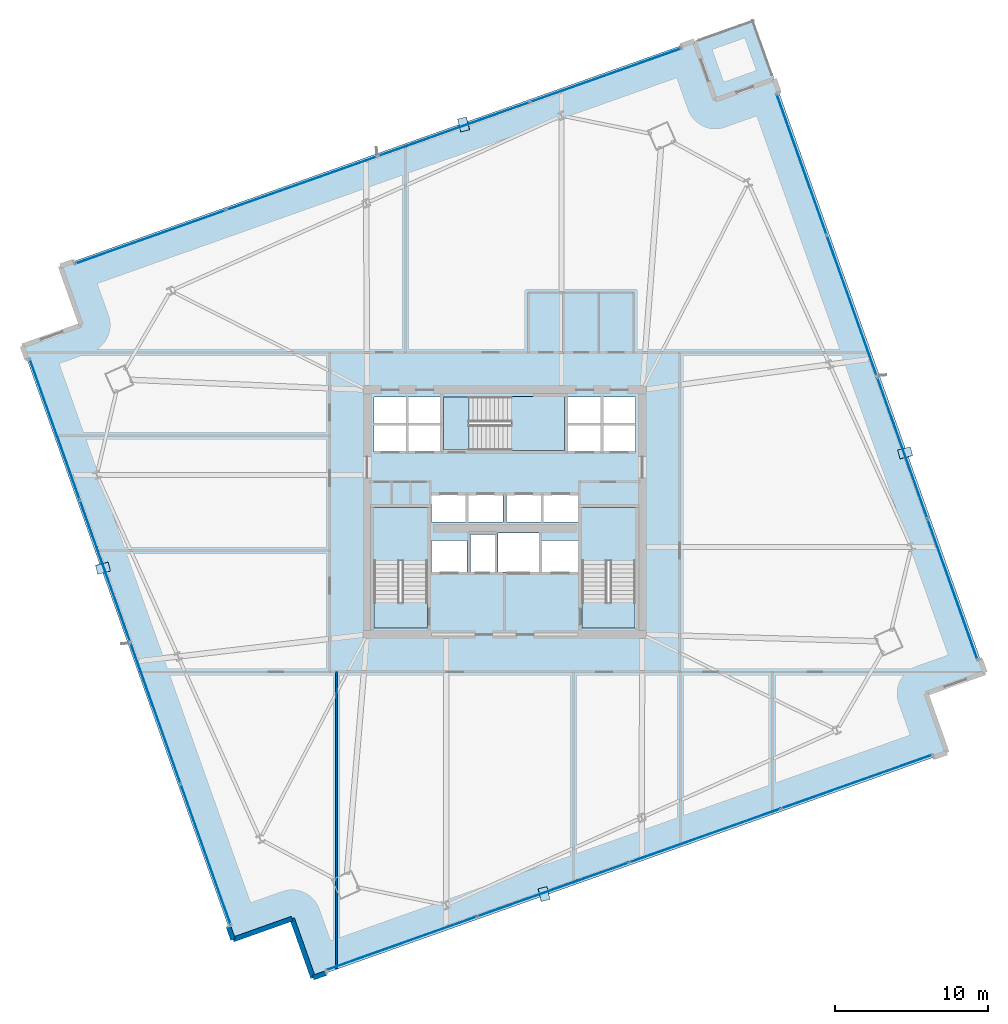
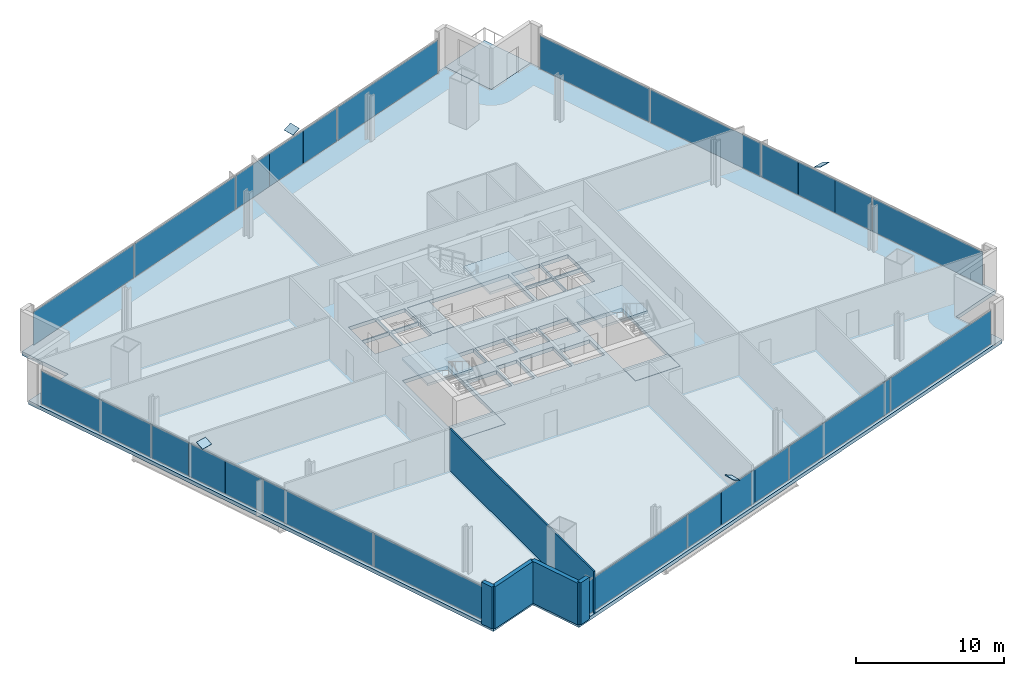
# One storey, part 24 of 33: 28 plates, 8 slabs, 5 walls, 7 elements without a shape of their own.
"""IFC4 building model written with IfcOpenShell, lengths in metres."""

from ifc_helpers import new_model, si_unit, direction, frame, frame_2d, origin, origin_2d, place, context, subcontext, project, spatial, polyline, rectangle, outline, extrude, source, transform, mapped, material, layer, layer_set, type_object, element, aggregate, save


model = new_model("IFC4")

# Units and contexts
model_context = context("Model", 3, precision=1e-05, world=origin(), true_north=direction((0.0, 1.0)))
body_context = subcontext(model_context, "Body", "Model", "MODEL_VIEW")
ifc_project = project(units=[si_unit("LENGTHUNIT", "METRE"), si_unit("AREAUNIT", "SQUARE_METRE"), si_unit("VOLUMEUNIT", "CUBIC_METRE"), si_unit("PLANEANGLEUNIT", "RADIAN"), si_unit("MASSUNIT", "GRAM", prefix="KILO")], contexts=[model_context])

# Site, building, storey
site_placement = place(None, origin())
site = spatial("IfcSite", under=ifc_project, at=site_placement, CompositionType="ELEMENT")
building_placement = place(site_placement, origin())
building = spatial("IfcBuilding", under=site, at=building_placement, Name="Haldenkirk Collegiate Tower", CompositionType="ELEMENT")
storey_placement = place(building_placement, frame((0.0, 0.0, 94.199951171875)))
storey = spatial("IfcBuildingStorey", under=building, at=storey_placement, Name="L22", CompositionType="ELEMENT", Elevation=94.199951171875)

# Slab
ifc_material_1 = material(Name="Concrete f'c 40 MPa", Category="concrete")
ifc_layer_1 = layer(ifc_material_1, 0.300048828125)
ifc_layer_set_1 = layer_set([ifc_layer_1], Name="Concrete f'c 40 MPa")
slab_type_1 = type_object("IfcSlabType", Name="SLB-FLR-300", PredefinedType="FLOOR", material=ifc_layer_set_1)
slab_1_placement = place(storey_placement, frame((0.0, 0.0, -0.300048828125)))
element("IfcSlab", 1, at=slab_1_placement, inside=storey, type_object=slab_type_1, Name="L22 composite structural floor slab", PredefinedType="FLOOR", context=body_context, shape_type="SweptSolid", body=[
    extrude(outline(polyline([(23.466796875, -4.449462890625), (64.93017578125, 10.2744140625), (63.55810546875, 14.137939453125), (67.421875, 15.510009765625), (53.635009765625, 54.334716796875), (49.771484375, 52.962646484375), (48.3994140625, 56.826416015625), (6.93603515625, 42.102783203125), (8.30810546875, 38.239013671875), (4.4443359375, 36.8671875), (18.231201171875, -1.957763671875), (22.0947265625, -0.585693359375), (23.466796875, -4.449462890625)]), holes=[polyline([(27.449951171875, 18.39990234375), (30.949951171875, 18.39990234375), (30.949951171875, 26.300048828125), (27.449951171875, 26.300048828125), (27.449951171875, 18.39990234375)]), polyline([(41.050048828125, 18.39990234375), (44.550048828125, 18.39990234375), (44.550048828125, 26.300048828125), (41.050048828125, 26.300048828125), (41.050048828125, 18.39990234375)]), polyline([(32.0, 30.050048828125), (39.89990234375, 30.050048828125), (39.89990234375, 33.550048828125), (32.0, 33.550048828125), (32.0, 30.050048828125)]), polyline([(33.75, 22.10009765625), (35.35009765625, 22.10009765625), (35.35009765625, 24.550048828125), (33.75, 24.550048828125), (33.75, 22.10009765625)]), polyline([(27.449951171875, 29.949951171875), (29.580078125, 29.949951171875), (29.580078125, 31.699951171875), (27.449951171875, 31.699951171875), (27.449951171875, 29.949951171875)]), polyline([(29.679931640625, 29.949951171875), (31.85009765625, 29.949951171875), (31.85009765625, 31.699951171875), (29.679931640625, 31.699951171875), (29.679931640625, 29.949951171875)]), polyline([(27.449951171875, 31.800048828125), (29.580078125, 31.800048828125), (29.580078125, 33.550048828125), (27.449951171875, 33.550048828125), (27.449951171875, 31.800048828125)]), polyline([(29.679931640625, 31.800048828125), (31.85009765625, 31.800048828125), (31.85009765625, 33.550048828125), (29.679931640625, 33.550048828125), (29.679931640625, 31.800048828125)]), polyline([(40.14990234375, 29.949951171875), (42.320068359375, 29.949951171875), (42.320068359375, 31.699951171875), (40.14990234375, 31.699951171875), (40.14990234375, 29.949951171875)]), polyline([(42.419921875, 29.949951171875), (44.550048828125, 29.949951171875), (44.550048828125, 31.699951171875), (42.419921875, 31.699951171875), (42.419921875, 29.949951171875)]), polyline([(40.14990234375, 31.800048828125), (42.320068359375, 31.800048828125), (42.320068359375, 33.550048828125), (40.14990234375, 33.550048828125), (40.14990234375, 31.800048828125)]), polyline([(42.419921875, 31.800048828125), (44.550048828125, 31.800048828125), (44.550048828125, 33.550048828125), (42.419921875, 33.550048828125), (42.419921875, 31.800048828125)]), polyline([(31.199951171875, 25.35009765625), (33.47998046875, 25.35009765625), (33.47998046875, 27.14990234375), (31.199951171875, 27.14990234375), (31.199951171875, 25.35009765625)]), polyline([(33.60009765625, 25.35009765625), (35.8798828125, 25.35009765625), (35.8798828125, 27.14990234375), (33.60009765625, 27.14990234375), (33.60009765625, 25.35009765625)]), polyline([(36.1201171875, 25.35009765625), (38.39990234375, 25.35009765625), (38.39990234375, 27.14990234375), (36.1201171875, 27.14990234375), (36.1201171875, 25.35009765625)]), polyline([(38.52001953125, 25.35009765625), (40.800048828125, 25.35009765625), (40.800048828125, 27.14990234375), (38.52001953125, 27.14990234375), (38.52001953125, 25.35009765625)]), polyline([(31.199951171875, 22.10009765625), (33.550048828125, 22.10009765625), (33.550048828125, 24.14990234375), (31.199951171875, 24.14990234375), (31.199951171875, 22.10009765625)]), polyline([(38.449951171875, 22.10009765625), (40.800048828125, 22.10009765625), (40.800048828125, 24.14990234375), (38.449951171875, 24.14990234375), (38.449951171875, 22.10009765625)]), polyline([(35.550048828125, 22.10009765625), (38.25, 22.10009765625), (38.25, 24.64990234375), (35.550048828125, 24.64990234375), (35.550048828125, 22.10009765625)])]), origin(), (0.0, 0.0, 1.0), 0.300048828125),
])

# Stair, slab
stair_type = type_object("IfcStairType", Name="STR-DOGLEG-1650", PredefinedType="HALF_TURN_STAIR", material=ifc_material_1)
stair_1_placement = place(storey_placement, origin())
stair_1 = element("IfcStair", 2, at=stair_1_placement, inside=storey, type_object=stair_type, Name="L22 Core Exit Stair ST-1", PredefinedType="HALF_TURN_STAIR")
ifc_layer_2 = layer(ifc_material_1, 0.199951171875)
ifc_layer_set_2 = layer_set([ifc_layer_2], Name="Concrete f'c 40 MPa")
slab_type_2 = type_object("IfcSlabType", Name="SLB-LANDING-200", PredefinedType="LANDING", material=ifc_layer_set_2)
slab_2_placement = place(storey_placement, frame((0.0, 0.0, 1.675048828125)))
slab_2 = element("IfcSlab", 3, at=slab_2_placement, type_object=slab_type_2, Name="ST-1 landing 1", PredefinedType="LANDING", context=body_context, shape_type="SweptSolid", body=[
    extrude(outline(polyline([(30.97509765625, 22.824951171875), (27.425048828125, 22.824951171875), (27.425048828125, 26.324951171875), (30.97509765625, 26.324951171875), (30.97509765625, 22.824951171875)])), origin(), (0.0, 0.0, 1.0), 0.199951171875),
])
aggregate(stair_1, [slab_2])

stair_2_placement = place(storey_placement, origin())
stair_2 = element("IfcStair", 4, at=stair_2_placement, inside=storey, type_object=stair_type, Name="L22 Core Exit Stair ST-2", PredefinedType="HALF_TURN_STAIR")
slab_3_placement = place(storey_placement, frame((0.0, 0.0, 1.675048828125)))
slab_3 = element("IfcSlab", 5, at=slab_3_placement, type_object=slab_type_2, Name="ST-2 landing 1", PredefinedType="LANDING", context=body_context, shape_type="SweptSolid", body=[
    extrude(outline(polyline([(44.574951171875, 22.824951171875), (41.02490234375, 22.824951171875), (41.02490234375, 26.324951171875), (44.574951171875, 26.324951171875), (44.574951171875, 22.824951171875)])), origin(), (0.0, 0.0, 1.0), 0.199951171875),
])
aggregate(stair_2, [slab_3])

stair_3_placement = place(storey_placement, origin())
stair_3 = element("IfcStair", 6, at=stair_3_placement, inside=storey, type_object=stair_type, Name="L22 Core Exit Stair ST-3", PredefinedType="HALF_TURN_STAIR")
slab_4_placement = place(storey_placement, frame((0.0, 0.0, 1.675048828125)))
slab_4 = element("IfcSlab", 7, at=slab_4_placement, type_object=slab_type_2, Name="ST-3 landing 1", PredefinedType="LANDING", context=body_context, shape_type="SweptSolid", body=[
    extrude(outline(polyline([(36.425048828125, 30.02490234375), (36.425048828125, 33.574951171875), (39.925048828125, 33.574951171875), (39.925048828125, 30.02490234375), (36.425048828125, 30.02490234375)])), origin(), (0.0, 0.0, 1.0), 0.199951171875),
])
aggregate(stair_3, [slab_4])

# Slabs
ifc_layer_3 = layer(ifc_material_1, 0.25)
ifc_layer_set_3 = layer_set([ifc_layer_3], Name="Concrete f'c 40 MPa")
slab_type_3 = type_object("IfcSlabType", Name="SLB-STAIRLAND-250", PredefinedType="LANDING", material=ifc_layer_set_3)
slab_5_placement = place(storey_placement, frame((0.0, 0.0, -0.25)))
element("IfcSlab", 8, at=slab_5_placement, inside=storey, type_object=slab_type_3, Name="L22 stair ST1 structural floor landing slab", PredefinedType="LANDING", context=body_context, shape_type="SweptSolid", body=[
    extrude(outline(polyline([(27.4599609375, 18.409912109375), (30.93994140625, 18.409912109375), (30.93994140625, 20.080078125), (27.4599609375, 20.080078125), (27.4599609375, 18.409912109375)])), origin(), (0.0, 0.0, 1.0), 0.25),
])
slab_6_placement = place(storey_placement, frame((0.0, 0.0, -0.25)))
element("IfcSlab", 9, at=slab_6_placement, inside=storey, type_object=slab_type_3, Name="L22 stair ST2 structural floor landing slab", PredefinedType="LANDING", context=body_context, shape_type="SweptSolid", body=[
    extrude(outline(polyline([(41.06005859375, 18.409912109375), (44.5400390625, 18.409912109375), (44.5400390625, 20.080078125), (41.06005859375, 20.080078125), (41.06005859375, 18.409912109375)])), origin(), (0.0, 0.0, 1.0), 0.25),
])
slab_7_placement = place(storey_placement, frame((0.0, 0.0, -0.25)))
element("IfcSlab", 10, at=slab_7_placement, inside=storey, type_object=slab_type_3, Name="L22 stair ST3 structural floor landing slab", PredefinedType="LANDING", context=body_context, shape_type="SweptSolid", body=[
    extrude(outline(polyline([(32.010009765625, 30.06005859375), (33.679931640625, 30.06005859375), (33.679931640625, 33.5400390625), (32.010009765625, 33.5400390625), (32.010009765625, 30.06005859375)])), origin(), (0.0, 0.0, 1.0), 0.25),
])
ifc_layer_4 = layer(ifc_material_1, 0.22998046875)
ifc_layer_set_4 = layer_set([ifc_layer_4], Name="Concrete f'c 40 MPa")
slab_type_4 = type_object("IfcSlabType", Name="SLB-TERR-SPIRAL-230", PredefinedType="FLOOR", material=ifc_layer_set_4)
slab_8_placement = place(storey_placement, frame((0.0, 0.0, -0.22998046875)))
element("IfcSlab", 11, at=slab_8_placement, inside=storey, type_object=slab_type_4, Name="L22 spiralling corner terrace slab", PredefinedType="FLOOR", context=body_context, shape_type="SweptSolid", body=[
    extrude(outline(polyline([(49.771484375, 52.962646484375), (53.635009765625, 54.334716796875), (52.26318359375, 58.1982421875), (48.3994140625, 56.826416015625), (49.771484375, 52.962646484375)])), origin(), (0.0, 0.0, 1.0), 0.22998046875),
])

# Plates
ifc_material_2 = material(Name="Steel ASTM A572 Grade 50", Category="steel")
ifc_layer_5 = layer(ifc_material_2, 0.034912109375)
ifc_layer_set_5 = layer_set([ifc_layer_5], Name="Steel ASTM A572 Grade 50")
plate_type_1 = type_object("IfcPlateType", Name="PLT-CAP-EXT-760X600", PredefinedType="USERDEFINED", material=ifc_layer_set_5)
shared_shape_1 = source(origin(), body_context, "Body", "SweptSolid", [
    extrude(rectangle(XDim=0.860107421875, YDim=0.659912109375, at=origin_2d()), origin(), (0.0, 0.0, 1.0), 0.034912109375),
])
for number, where, z_axis, x_axis, name in (
    (12, (38.56494140625, 1.013671875, 3.4375), (0.430187212245, 0.106988052786, 0.896377442254), (-0.241349098258, 0.970438361139, -1.6566e-08), "Perimeter Mega Brace Z2 L20-L22 SL end cap plate 2"),
    (13, (62.201904296875, 29.874267578125, 3.437255859375), (-0.106297029219, 0.415827114303, 0.903210248275), (-0.968845981342, -0.247664015225, -4.0766e-08), "Perimeter Mega Brace Z2 L20-L22 EL end cap plate 2"),
    (14, (33.3212890625, 51.370849609375, 3.4375), (-0.430866063653, -0.107132015827, 0.896034132373), (0.241296181552, -0.970451520051, -1.02324e-07), "Perimeter Mega Brace Z2 L20-L22 NL end cap plate 2"),
    (15, (9.714599609375, 22.34716796875, 3.437255859375), (0.104062042016, -0.412377166503, 0.905050365426), (0.969604679022, 0.244676861225, 1.19212e-07), "Perimeter Mega Brace Z2 L20-L22 WL end cap plate 2"),
):
    element("IfcPlate", number, at=place(storey_placement, frame(where, z_axis=z_axis, x_axis=x_axis)), inside=storey, type_object=plate_type_1, Name=name, ObjectType="END CAP PLATE", PredefinedType="USERDEFINED", context=body_context, shape_type="MappedRepresentation", body=[
        mapped(shared_shape_1, transform((0.0, 0.0, 0.0), x_axis=(1.0, 0.0, 0.0), y_axis=(0.0, 1.0, 0.0), z_axis=(0.0, 0.0, 1.0), scale=1.0)),
    ])

# Curtain wall, plates
ifc_material_3 = material(Name="Anodised architectural bronze aluminium", Category="aluminium")
curtain_wall_type_1 = type_object("IfcCurtainWallType", Name="CW-SYS2-CONCAVE", PredefinedType="USERDEFINED", material=ifc_material_3)
curtain_wall_1_placement = place(storey_placement, origin())
curtain_wall_1 = element("IfcCurtainWall", 16, at=curtain_wall_1_placement, inside=storey, type_object=curtain_wall_type_1, Name="L22 South concave recessed bronze-anodised curtain wall", ObjectType="UNITISED CURTAIN WALL", PredefinedType="USERDEFINED")
ifc_material_4 = material(Name="Low-E argon triple insulating glass", Category="glass")
ifc_layer_6 = layer(ifc_material_4, 0.0419921875)
ifc_layer_set_6 = layer_set([ifc_layer_6], Name="Low-E argon triple insulating glass")
plate_type_2 = type_object("IfcPlateType", Name="CW-PNL-02", PredefinedType="CURTAIN_PANEL", material=ifc_layer_set_6)
shared_shape_2 = source(origin(), body_context, "Body", "SweptSolid", [
    extrude(rectangle(XDim=10.4375, YDim=0.0419921875, at=origin_2d()), origin(), (0.0, 0.0, 1.0), 2.7509765625),
])
plate_1_placement = place(storey_placement, frame((59.033203125, 8.371337890625, 0.074951171875), z_axis=(0.0, 0.0, 1.0), x_axis=(-0.942350364424, -0.334627839055, 0.0)))
plate_1 = element("IfcPlate", 17, at=plate_1_placement, type_object=plate_type_2, Name="CW-02 panel 1.1", PredefinedType="CURTAIN_PANEL", context=body_context, shape_type="MappedRepresentation", body=[
    mapped(shared_shape_2, transform((0.0, 0.0, 0.0), x_axis=(1.0, 0.0, 0.0), y_axis=(0.0, 1.0, 0.0), z_axis=(0.0, 0.0, 1.0), scale=1.0)),
])
plate_2_placement = place(storey_placement, frame((29.2431640625, -2.207275390625, 0.074951171875), z_axis=(0.0, 0.0, 1.0), x_axis=(-0.942350364424, -0.334627839055, 0.0)))
plate_2 = element("IfcPlate", 18, at=plate_2_placement, type_object=plate_type_2, Name="CW-02 panel 4.1", PredefinedType="CURTAIN_PANEL", context=body_context, shape_type="MappedRepresentation", body=[
    mapped(shared_shape_2, transform((0.0, 0.0, 0.0), x_axis=(1.0, 0.0, 0.0), y_axis=(0.0, 1.0, 0.0), z_axis=(0.0, 0.0, 1.0), scale=1.0)),
])
shared_shape_3 = source(origin(), body_context, "Body", "SweptSolid", [
    extrude(rectangle(XDim=10.47509765625, YDim=0.0419921875, at=origin_2d()), origin(), (0.0, 0.0, 1.0), 2.7509765625),
])
plate_3_placement = place(storey_placement, frame((49.109130859375, 4.84716796875, 0.074951171875), z_axis=(0.0, 0.0, 1.0), x_axis=(-0.942350364424, -0.334627839055, 0.0)))
plate_3 = element("IfcPlate", 19, at=plate_3_placement, type_object=plate_type_2, Name="CW-02 panel 2.1", PredefinedType="CURTAIN_PANEL", context=body_context, shape_type="MappedRepresentation", body=[
    mapped(shared_shape_3, transform((0.0, 0.0, 0.0), x_axis=(1.0, 0.0, 0.0), y_axis=(0.0, 1.0, 0.0), z_axis=(0.0, 0.0, 1.0), scale=1.0)),
])
shared_shape_4 = source(origin(), body_context, "Body", "SweptSolid", [
    extrude(rectangle(XDim=3.479248046875, YDim=0.0419921875, at=origin_2d()), origin(), (0.0, 0.0, 1.0), 2.7509765625),
])
plate_4_placement = place(storey_placement, frame((42.463623046875, 2.4873046875, 0.074951171875), z_axis=(0.0, 0.0, 1.0), x_axis=(-0.942350364424, -0.334627839055, 0.0)))
plate_4 = element("IfcPlate", 20, at=plate_4_placement, type_object=plate_type_2, Name="CW-02 panel 3.1a", PredefinedType="CURTAIN_PANEL", context=body_context, shape_type="MappedRepresentation", body=[
    mapped(shared_shape_4, transform((0.0, 0.0, 0.0), x_axis=(1.0, 0.0, 0.0), y_axis=(0.0, 1.0, 0.0), z_axis=(0.0, 0.0, 1.0), scale=1.0)),
])
ifc_material_5 = material(Name="Bronze-anodised insulated aluminium spandrel panel", Category="aluminium")
ifc_layer_7 = layer(ifc_material_5, 0.0419921875)
ifc_layer_set_7 = layer_set([ifc_layer_7], Name="Bronze-anodised insulated aluminium spandrel panel")
plate_type_3 = type_object("IfcPlateType", Name="CW-SPD-02", PredefinedType="CURTAIN_PANEL", material=ifc_layer_set_7)
plate_5_placement = place(storey_placement, frame((35.87109375, 0.146484375, 0.074951171875), z_axis=(0.0, 0.0, 1.0), x_axis=(-0.942350364424, -0.334627839055, 0.0)))
plate_5 = element("IfcPlate", 21, at=plate_5_placement, type_object=plate_type_3, Name="CW-02 spandrel panel 3.1c", PredefinedType="CURTAIN_PANEL", context=body_context, shape_type="MappedRepresentation", body=[
    mapped(shared_shape_4, transform((0.0, 0.0, 0.0), x_axis=(1.0, 0.0, 0.0), y_axis=(0.0, 1.0, 0.0), z_axis=(0.0, 0.0, 1.0), scale=1.0)),
])
shared_shape_5 = source(origin(), body_context, "Body", "SweptSolid", [
    extrude(rectangle(XDim=3.466796875, YDim=0.0419921875, at=origin_2d()), origin(), (0.0, 0.0, 1.0), 2.7509765625),
])
plate_6_placement = place(storey_placement, frame((39.167236328125, 1.31689453125, 0.074951171875), z_axis=(0.0, 0.0, 1.0), x_axis=(-0.942350364424, -0.334627839055, 0.0)))
plate_6 = element("IfcPlate", 22, at=plate_6_placement, type_object=plate_type_3, Name="CW-02 spandrel panel 3.1b", PredefinedType="CURTAIN_PANEL", context=body_context, shape_type="MappedRepresentation", body=[
    mapped(shared_shape_5, transform((0.0, 0.0, 0.0), x_axis=(1.0, 0.0, 0.0), y_axis=(0.0, 1.0, 0.0), z_axis=(0.0, 0.0, 1.0), scale=1.0)),
])
aggregate(curtain_wall_1, [plate_1, plate_3, plate_4, plate_6, plate_5, plate_2])

curtain_wall_type_2 = type_object("IfcCurtainWallType", Name="CW-SYS1-CONVEX-LOW", PredefinedType="USERDEFINED", material=ifc_material_3)
curtain_wall_2_placement = place(storey_placement, origin())
curtain_wall_2 = element("IfcCurtainWall", 23, at=curtain_wall_2_placement, inside=storey, type_object=curtain_wall_type_2, Name="L22 Lower tower convex bronze-framed unitised curtain wall", ObjectType="UNITISED CURTAIN WALL", PredefinedType="USERDEFINED")
ifc_layer_8 = layer(ifc_material_4, 0.0439453125)
ifc_layer_set_8 = layer_set([ifc_layer_8], Name="Low-E argon triple insulating glass")
plate_type_4 = type_object("IfcPlateType", Name="CW-PNL-1A", PredefinedType="CURTAIN_PANEL", material=ifc_layer_set_8)
shared_shape_6 = source(origin(), body_context, "Body", "SweptSolid", [
    extrude(rectangle(XDim=9.72998046875, YDim=0.0439453125, at=origin_2d()), origin(), (0.0, 0.0, 1.0), 2.740966796875),
])
plate_7_placement = place(storey_placement, frame((55.42138671875, 48.766357421875, 0.080078125), z_axis=(0.0, 0.0, 1.0), x_axis=(0.334629297058, -0.942349846687, 0.0)))
plate_7 = element("IfcPlate", 24, at=plate_7_placement, type_object=plate_type_4, Name="CW-1A panel 1.1", PredefinedType="CURTAIN_PANEL", context=body_context, shape_type="MappedRepresentation", body=[
    mapped(shared_shape_6, transform((0.0, 0.0, 0.0), x_axis=(1.0, 0.0, 0.0), y_axis=(0.0, 1.0, 0.0), z_axis=(0.0, 0.0, 1.0), scale=1.0)),
])
plate_8_placement = place(storey_placement, frame((65.296142578125, 20.957763671875, 0.080078125), z_axis=(0.0, 0.0, 1.0), x_axis=(0.334629297058, -0.942349846687, 0.0)))
plate_8 = element("IfcPlate", 25, at=plate_8_placement, type_object=plate_type_4, Name="CW-1A panel 4.1", PredefinedType="CURTAIN_PANEL", context=body_context, shape_type="MappedRepresentation", body=[
    mapped(shared_shape_6, transform((0.0, 0.0, 0.0), x_axis=(1.0, 0.0, 0.0), y_axis=(0.0, 1.0, 0.0), z_axis=(0.0, 0.0, 1.0), scale=1.0)),
])

curtain_wall_3_placement = place(storey_placement, origin())
curtain_wall_3 = element("IfcCurtainWall", 26, at=curtain_wall_3_placement, inside=storey, type_object=curtain_wall_type_2, Name="L22 Lower tower convex bronze-framed unitised curtain wall", ObjectType="UNITISED CURTAIN WALL", PredefinedType="USERDEFINED")
plate_9_placement = place(storey_placement, frame((16.44482421875, 3.6103515625, 0.080078125), z_axis=(0.0, 0.0, 1.0), x_axis=(-0.334626242845, 0.942350931235, 0.0)))
plate_9 = element("IfcPlate", 27, at=plate_9_placement, type_object=plate_type_4, Name="CW-1A panel 1.1", PredefinedType="CURTAIN_PANEL", context=body_context, shape_type="MappedRepresentation", body=[
    mapped(shared_shape_6, transform((0.0, 0.0, 0.0), x_axis=(1.0, 0.0, 0.0), y_axis=(0.0, 1.0, 0.0), z_axis=(0.0, 0.0, 1.0), scale=1.0)),
])
plate_10_placement = place(storey_placement, frame((6.56982421875, 31.419189453125, 0.080078125), z_axis=(0.0, 0.0, 1.0), x_axis=(-0.334626242845, 0.942350931235, 0.0)))
plate_10 = element("IfcPlate", 28, at=plate_10_placement, type_object=plate_type_4, Name="CW-1A panel 4.1", PredefinedType="CURTAIN_PANEL", context=body_context, shape_type="MappedRepresentation", body=[
    mapped(shared_shape_6, transform((0.0, 0.0, 0.0), x_axis=(1.0, 0.0, 0.0), y_axis=(0.0, 1.0, 0.0), z_axis=(0.0, 0.0, 1.0), scale=1.0)),
])

# Plate
shared_shape_7 = source(origin(), body_context, "Body", "SweptSolid", [
    extrude(rectangle(XDim=9.77001953125, YDim=0.0439453125, at=origin_2d()), origin(), (0.0, 0.0, 1.0), 2.740966796875),
])
plate_11_placement = place(storey_placement, frame((58.710693359375, 39.503173828125, 0.080078125), z_axis=(0.0, 0.0, 1.0), x_axis=(0.334629297058, -0.942349846687, 0.0)))
plate_11 = element("IfcPlate", 29, at=plate_11_placement, type_object=plate_type_4, Name="CW-1A panel 2.1", PredefinedType="CURTAIN_PANEL", context=body_context, shape_type="MappedRepresentation", body=[
    mapped(shared_shape_7, transform((0.0, 0.0, 0.0), x_axis=(1.0, 0.0, 0.0), y_axis=(0.0, 1.0, 0.0), z_axis=(0.0, 0.0, 1.0), scale=1.0)),
])

plate_12_placement = place(storey_placement, frame((13.1552734375, 12.873779296875, 0.080078125), z_axis=(0.0, 0.0, 1.0), x_axis=(-0.334626242845, 0.942350931235, 0.0)))
plate_12 = element("IfcPlate", 30, at=plate_12_placement, type_object=plate_type_4, Name="CW-1A panel 2.1", PredefinedType="CURTAIN_PANEL", context=body_context, shape_type="MappedRepresentation", body=[
    mapped(shared_shape_7, transform((0.0, 0.0, 0.0), x_axis=(1.0, 0.0, 0.0), y_axis=(0.0, 1.0, 0.0), z_axis=(0.0, 0.0, 1.0), scale=1.0)),
])

ifc_layer_9 = layer(ifc_material_5, 0.0439453125)
ifc_layer_set_9 = layer_set([ifc_layer_9], Name="Bronze-anodised insulated aluminium spandrel panel")
plate_type_5 = type_object("IfcPlateType", Name="CW-SPD-1A", PredefinedType="CURTAIN_PANEL", material=ifc_layer_set_9)
shared_shape_8 = source(origin(), body_context, "Body", "SweptSolid", [
    extrude(rectangle(XDim=3.244140625, YDim=0.0439453125, at=origin_2d()), origin(), (0.0, 0.0, 1.0), 2.740966796875),
])
plate_13_placement = place(storey_placement, frame((60.9150390625, 33.2958984375, 0.080078125), z_axis=(0.0, 0.0, 1.0), x_axis=(0.334629297058, -0.942349846687, 0.0)))
plate_13 = element("IfcPlate", 31, at=plate_13_placement, type_object=plate_type_5, Name="CW-1A spandrel panel 3.1a", PredefinedType="CURTAIN_PANEL", context=body_context, shape_type="MappedRepresentation", body=[
    mapped(shared_shape_8, transform((0.0, 0.0, 0.0), x_axis=(1.0, 0.0, 0.0), y_axis=(0.0, 1.0, 0.0), z_axis=(0.0, 0.0, 1.0), scale=1.0)),
])

plate_14_placement = place(storey_placement, frame((63.0986328125, 27.146240234375, 0.080078125), z_axis=(0.0, 0.0, 1.0), x_axis=(0.334629297058, -0.942349846687, 0.0)))
plate_14 = element("IfcPlate", 32, at=plate_14_placement, type_object=plate_type_5, Name="CW-1A spandrel panel 3.1c", PredefinedType="CURTAIN_PANEL", context=body_context, shape_type="MappedRepresentation", body=[
    mapped(shared_shape_8, transform((0.0, 0.0, 0.0), x_axis=(1.0, 0.0, 0.0), y_axis=(0.0, 1.0, 0.0), z_axis=(0.0, 0.0, 1.0), scale=1.0)),
])

plate_15_placement = place(storey_placement, frame((10.951171875, 19.0810546875, 0.080078125), z_axis=(0.0, 0.0, 1.0), x_axis=(-0.334626242845, 0.942350931235, 0.0)))
plate_15 = element("IfcPlate", 33, at=plate_15_placement, type_object=plate_type_5, Name="CW-1A spandrel panel 3.1a", PredefinedType="CURTAIN_PANEL", context=body_context, shape_type="MappedRepresentation", body=[
    mapped(shared_shape_8, transform((0.0, 0.0, 0.0), x_axis=(1.0, 0.0, 0.0), y_axis=(0.0, 1.0, 0.0), z_axis=(0.0, 0.0, 1.0), scale=1.0)),
])

plate_16_placement = place(storey_placement, frame((8.767578125, 25.230712890625, 0.080078125), z_axis=(0.0, 0.0, 1.0), x_axis=(-0.334626242845, 0.942350931235, 0.0)))
plate_16 = element("IfcPlate", 34, at=plate_16_placement, type_object=plate_type_5, Name="CW-1A spandrel panel 3.1c", PredefinedType="CURTAIN_PANEL", context=body_context, shape_type="MappedRepresentation", body=[
    mapped(shared_shape_8, transform((0.0, 0.0, 0.0), x_axis=(1.0, 0.0, 0.0), y_axis=(0.0, 1.0, 0.0), z_axis=(0.0, 0.0, 1.0), scale=1.0)),
])

shared_shape_9 = source(origin(), body_context, "Body", "SweptSolid", [
    extrude(rectangle(XDim=3.231689453125, YDim=0.0439453125, at=origin_2d()), origin(), (0.0, 0.0, 1.0), 2.740966796875),
])
plate_17_placement = place(storey_placement, frame((62.0068359375, 30.220947265625, 0.080078125), z_axis=(0.0, 0.0, 1.0), x_axis=(0.334629297058, -0.942349846687, 0.0)))
plate_17 = element("IfcPlate", 35, at=plate_17_placement, type_object=plate_type_5, Name="CW-1A spandrel panel 3.1b", PredefinedType="CURTAIN_PANEL", context=body_context, shape_type="MappedRepresentation", body=[
    mapped(shared_shape_9, transform((0.0, 0.0, 0.0), x_axis=(1.0, 0.0, 0.0), y_axis=(0.0, 1.0, 0.0), z_axis=(0.0, 0.0, 1.0), scale=1.0)),
])

aggregate(curtain_wall_2, [plate_7, plate_11, plate_13, plate_17, plate_14, plate_8])

plate_18_placement = place(storey_placement, frame((9.859375, 22.156005859375, 0.080078125), z_axis=(0.0, 0.0, 1.0), x_axis=(-0.334626242845, 0.942350931235, 0.0)))
plate_18 = element("IfcPlate", 36, at=plate_18_placement, type_object=plate_type_5, Name="CW-1A spandrel panel 3.1b", PredefinedType="CURTAIN_PANEL", context=body_context, shape_type="MappedRepresentation", body=[
    mapped(shared_shape_9, transform((0.0, 0.0, 0.0), x_axis=(1.0, 0.0, 0.0), y_axis=(0.0, 1.0, 0.0), z_axis=(0.0, 0.0, 1.0), scale=1.0)),
])

aggregate(curtain_wall_3, [plate_9, plate_12, plate_15, plate_18, plate_16, plate_10])

# Curtain wall, plates
curtain_wall_4_placement = place(storey_placement, origin())
curtain_wall_4 = element("IfcCurtainWall", 37, at=curtain_wall_4_placement, inside=storey, type_object=curtain_wall_type_2, Name="L22 Lower tower convex bronze-framed unitised curtain wall", ObjectType="UNITISED CURTAIN WALL", PredefinedType="USERDEFINED")
shared_shape_10 = source(origin(), body_context, "Body", "SweptSolid", [
    extrude(rectangle(XDim=10.429931640625, YDim=0.0439453125, at=origin_2d()), origin(), (0.0, 0.0, 1.0), 2.740966796875),
])
plate_19_placement = place(storey_placement, frame((12.833984375, 44.006103515625, 0.080078125), z_axis=(0.0, 0.0, 1.0), x_axis=(0.942350364424, 0.334627839055, 0.0)))
plate_19 = element("IfcPlate", 38, at=plate_19_placement, type_object=plate_type_4, Name="CW-1A panel 1.1", PredefinedType="CURTAIN_PANEL", context=body_context, shape_type="MappedRepresentation", body=[
    mapped(shared_shape_10, transform((0.0, 0.0, 0.0), x_axis=(1.0, 0.0, 0.0), y_axis=(0.0, 1.0, 0.0), z_axis=(0.0, 0.0, 1.0), scale=1.0)),
])
plate_20_placement = place(storey_placement, frame((42.621826171875, 54.583740234375, 0.080078125), z_axis=(0.0, 0.0, 1.0), x_axis=(0.942350364424, 0.334627839055, 0.0)))
plate_20 = element("IfcPlate", 39, at=plate_20_placement, type_object=plate_type_4, Name="CW-1A panel 4.1", PredefinedType="CURTAIN_PANEL", context=body_context, shape_type="MappedRepresentation", body=[
    mapped(shared_shape_10, transform((0.0, 0.0, 0.0), x_axis=(1.0, 0.0, 0.0), y_axis=(0.0, 1.0, 0.0), z_axis=(0.0, 0.0, 1.0), scale=1.0)),
])
shared_shape_11 = source(origin(), body_context, "Body", "SweptSolid", [
    extrude(rectangle(XDim=10.469970703125, YDim=0.0439453125, at=origin_2d()), origin(), (0.0, 0.0, 1.0), 2.740966796875),
])
plate_21_placement = place(storey_placement, frame((22.757080078125, 47.52978515625, 0.080078125), z_axis=(0.0, 0.0, 1.0), x_axis=(0.942350364424, 0.334627839055, 0.0)))
plate_21 = element("IfcPlate", 40, at=plate_21_placement, type_object=plate_type_4, Name="CW-1A panel 2.1", PredefinedType="CURTAIN_PANEL", context=body_context, shape_type="MappedRepresentation", body=[
    mapped(shared_shape_11, transform((0.0, 0.0, 0.0), x_axis=(1.0, 0.0, 0.0), y_axis=(0.0, 1.0, 0.0), z_axis=(0.0, 0.0, 1.0), scale=1.0)),
])
shared_shape_12 = source(origin(), body_context, "Body", "SweptSolid", [
    extrude(rectangle(XDim=3.4775390625, YDim=0.0439453125, at=origin_2d()), origin(), (0.0, 0.0, 1.0), 2.740966796875),
])
plate_22_placement = place(storey_placement, frame((29.404052734375, 49.89013671875, 0.080078125), z_axis=(0.0, 0.0, 1.0), x_axis=(0.942350364424, 0.334627839055, 0.0)))
plate_22 = element("IfcPlate", 41, at=plate_22_placement, type_object=plate_type_4, Name="CW-1A panel 3.1a", PredefinedType="CURTAIN_PANEL", context=body_context, shape_type="MappedRepresentation", body=[
    mapped(shared_shape_12, transform((0.0, 0.0, 0.0), x_axis=(1.0, 0.0, 0.0), y_axis=(0.0, 1.0, 0.0), z_axis=(0.0, 0.0, 1.0), scale=1.0)),
])
plate_23_placement = place(storey_placement, frame((35.993408203125, 52.22998046875, 0.080078125), z_axis=(0.0, 0.0, 1.0), x_axis=(0.942350364424, 0.334627839055, 0.0)))
plate_23 = element("IfcPlate", 42, at=plate_23_placement, type_object=plate_type_5, Name="CW-1A spandrel panel 3.1c", PredefinedType="CURTAIN_PANEL", context=body_context, shape_type="MappedRepresentation", body=[
    mapped(shared_shape_12, transform((0.0, 0.0, 0.0), x_axis=(1.0, 0.0, 0.0), y_axis=(0.0, 1.0, 0.0), z_axis=(0.0, 0.0, 1.0), scale=1.0)),
])
shared_shape_13 = source(origin(), body_context, "Body", "SweptSolid", [
    extrude(rectangle(XDim=3.465087890625, YDim=0.0439453125, at=origin_2d()), origin(), (0.0, 0.0, 1.0), 2.740966796875),
])
plate_24_placement = place(storey_placement, frame((32.69873046875, 51.06005859375, 0.080078125), z_axis=(0.0, 0.0, 1.0), x_axis=(0.942350364424, 0.334627839055, 0.0)))
plate_24 = element("IfcPlate", 43, at=plate_24_placement, type_object=plate_type_5, Name="CW-1A spandrel panel 3.1b", PredefinedType="CURTAIN_PANEL", context=body_context, shape_type="MappedRepresentation", body=[
    mapped(shared_shape_13, transform((0.0, 0.0, 0.0), x_axis=(1.0, 0.0, 0.0), y_axis=(0.0, 1.0, 0.0), z_axis=(0.0, 0.0, 1.0), scale=1.0)),
])
aggregate(curtain_wall_4, [plate_19, plate_21, plate_22, plate_24, plate_23, plate_20])

# Walls
ifc_material_6 = material(Name="Precast concrete f'c 40 MPa", Category="concrete")
ifc_layer_10 = layer(ifc_material_6, 0.320068359375)
ifc_layer_set_10 = layer_set([ifc_layer_10], Name="Precast concrete f'c 40 MPa")
wall_type_1 = type_object("IfcWallType", Name="WL-EXT-TWR-320", PredefinedType="STANDARD", material=ifc_layer_set_10)
wall_1_placement = place(storey_placement, frame((24.314697265625, -4.148193359375, 0.0), z_axis=(0.0, 0.0, 1.0), x_axis=(-0.94228698804, -0.334806260651, 0.0)))
element("IfcWall", 44, at=wall_1_placement, inside=storey, type_object=wall_type_1, Name="L22 precast corner pier SR", PredefinedType="STANDARD", context=body_context, shape_type="SweptSolid", body=[
    extrude(rectangle(XDim=0.89990234375, YDim=0.320068359375, at=frame_2d((0.449951171875, 0.0))), origin(), (0.0, 0.0, 1.0), 3.449951171875),
])
wall_2_placement = place(storey_placement, frame((18.231201171875, -1.957763671875, 0.0), z_axis=(0.0, 0.0, 1.0), x_axis=(-0.334720684813, 0.942317389821, 0.0)))
element("IfcWall", 45, at=wall_2_placement, inside=storey, type_object=wall_type_1, Name="L22 precast corner pier WL", PredefinedType="STANDARD", context=body_context, shape_type="SweptSolid", body=[
    extrude(rectangle(XDim=0.900146484375, YDim=0.320068359375, at=frame_2d((0.4501953125, 0.0))), origin(), (0.0, 0.0, 1.0), 3.449951171875),
])
wall_3_placement = place(storey_placement, frame((22.0947265625, -0.585693359375, 0.0), z_axis=(0.0, 0.0, 1.0), x_axis=(-0.942339932664, -0.334657214633, 0.0)))
element("IfcWall", 46, at=wall_3_placement, inside=storey, type_object=wall_type_1, Name="L22 bronze precast notch wall 11", PredefinedType="STANDARD", context=body_context, shape_type="SweptSolid", body=[
    extrude(rectangle(XDim=4.099853515625, YDim=0.320068359375, at=frame_2d((2.0498046875, 0.0))), origin(), (0.0, 0.0, 1.0), 3.449951171875),
])
wall_4_placement = place(storey_placement, frame((23.466796875, -4.449462890625, 0.0), z_axis=(0.0, 0.0, 1.0), x_axis=(-0.334638436655, 0.942346601157, 0.0)))
element("IfcWall", 47, at=wall_4_placement, inside=storey, type_object=wall_type_1, Name="L22 bronze precast notch wall 12", PredefinedType="STANDARD", context=body_context, shape_type="SweptSolid", body=[
    extrude(rectangle(XDim=4.10009765625, YDim=0.320068359375, at=frame_2d((2.050048828125, 0.0))), origin(), (0.0, 0.0, 1.0), 3.449951171875),
])
ifc_material_7 = material(Name="Acoustic fire-rated gypsum partition", Category="concrete")
ifc_layer_11 = layer(ifc_material_7, 0.1201171875)
ifc_layer_set_11 = layer_set([ifc_layer_11], Name="Acoustic fire-rated gypsum partition")
wall_type_2 = type_object("IfcWallType", Name="WL-INT-WET-120", PredefinedType="PARTITIONING", material=ifc_layer_set_11)
wall_5_placement = place(storey_placement, frame((25.0, -3.862548828125, 0.0), z_axis=(0.0, 0.0, 1.0), x_axis=(0.0, 1.0, 0.0)))
element("IfcWall", 48, at=wall_5_placement, inside=storey, type_object=wall_type_2, Name="L22 interior partition IW-L22-RS1", PredefinedType="PARTITIONING", context=body_context, shape_type="SweptSolid", body=[
    extrude(rectangle(XDim=19.41259765625, YDim=0.1201171875, at=frame_2d((9.706298828125, 0.0))), origin(), (0.0, 0.0, 1.0), 3.449951171875),
])

save(model, "model.ifc")
